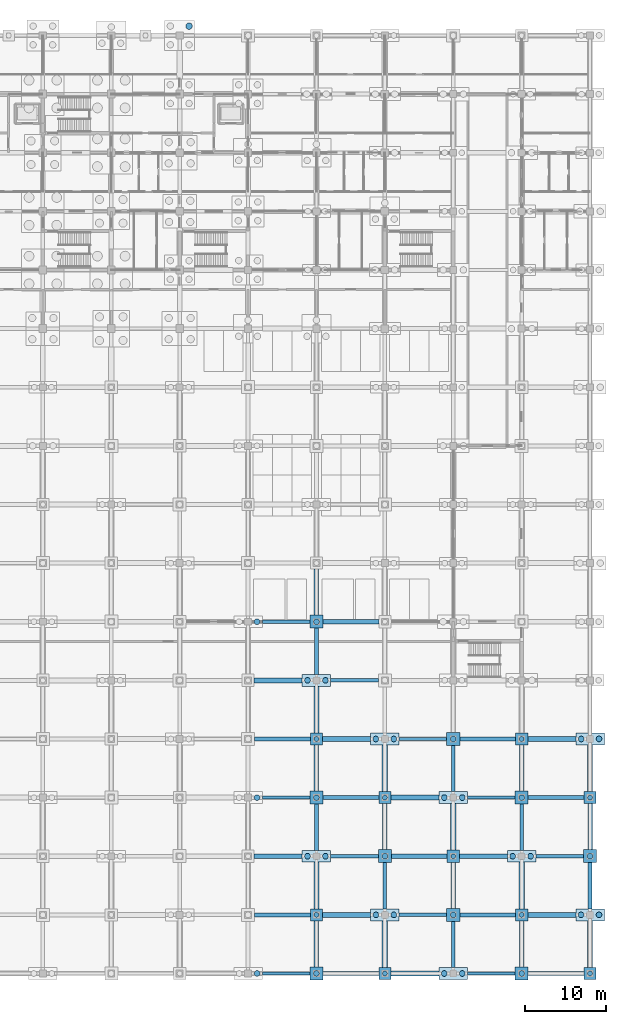
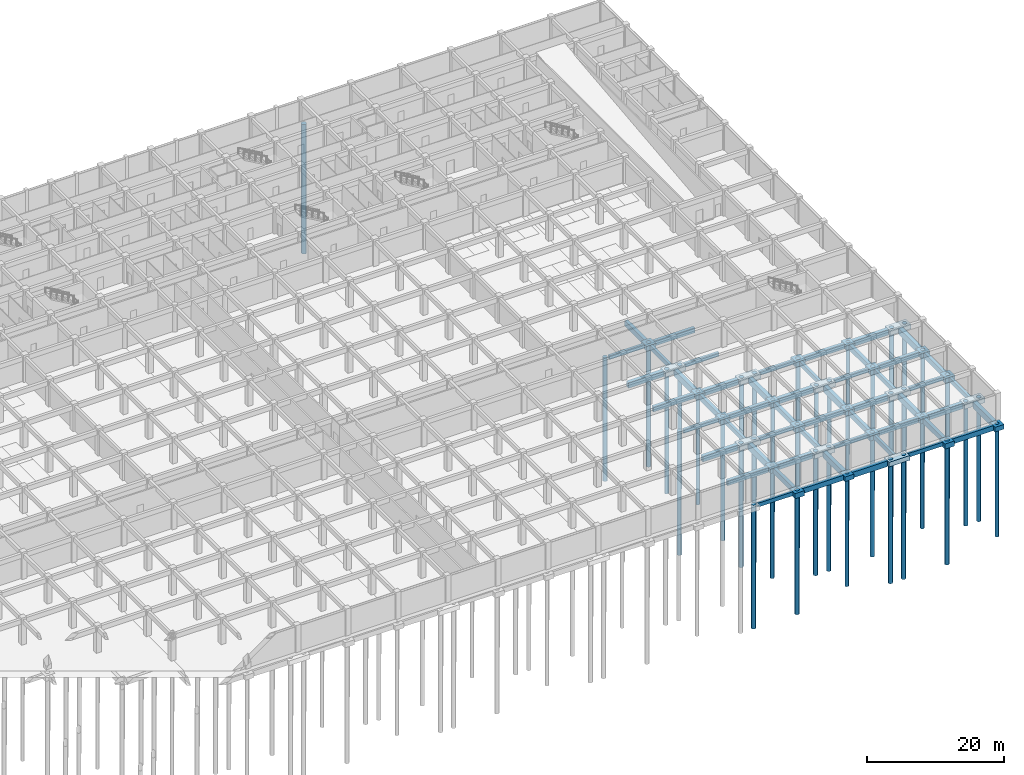
# One storey, part 13 of 85: 79 footings, 40 piles.
"""IFC4 building model written with IfcOpenShell, lengths in metres."""

from ifc_helpers import new_model, si_unit, direction, frame, origin, origin_2d, place, context, subcontext, project, spatial, rectangle, circle, extrude, material, material_profile, profile_set, type_object, element, save


model = new_model("IFC4")

# Units and contexts
model_context = context("Model", 3, precision=1e-05, world=origin(), true_north=direction((0.0, 1.0)))
body_context = subcontext(model_context, "Body", "Model", "MODEL_VIEW")
ifc_project = project(units=[si_unit("LENGTHUNIT", "METRE"), si_unit("AREAUNIT", "SQUARE_METRE"), si_unit("VOLUMEUNIT", "CUBIC_METRE"), si_unit("PLANEANGLEUNIT", "RADIAN"), si_unit("MASSUNIT", "GRAM", prefix="KILO")], contexts=[model_context])

# Site, building, storey
site_placement = place(None, origin())
site = spatial("IfcSite", under=ifc_project, at=site_placement, CompositionType="ELEMENT")
building_placement = place(site_placement, origin())
building = spatial("IfcBuilding", under=site, at=building_placement, Name="Chengyuan Square Courthouse", CompositionType="ELEMENT")
storey_placement = place(building_placement, frame((0.0, 0.0, -10.199951171875)))
storey = spatial("IfcBuildingStorey", under=building, at=storey_placement, Name="B02", CompositionType="ELEMENT", Elevation=-10.199951171875)

# Footings
ifc_material = material(Name="Concrete C40", Category="concrete")
ifc_material_profile_1 = material_profile(ifc_material, rectangle(XDim=0.39990234375, YDim=0.699951171875, at=origin_2d()), Name="GB-400x700")
ifc_profile_set_1 = profile_set([ifc_material_profile_1], Name="Concrete C40")
footing_type_1 = type_object("IfcFootingType", Name="GB-01", PredefinedType="FOOTING_BEAM", material=ifc_profile_set_1)
for number, where, z_axis, x_axis, name in (
    (1, (127.75, 0.0, -1.150146484375), (1.0, 0.0, 0.0), (0.0, 1.0, 0.0), "Ground Tie Beam GB-B02-0016"),
    (2, (152.949951171875, 0.0, -1.150146484375), (1.0, 0.0, 0.0), (0.0, 1.0, 0.0), "Ground Tie Beam GB-B02-0019"),
):
    element("IfcFooting", number, at=place(storey_placement, frame(where, z_axis=z_axis, x_axis=x_axis)), inside=storey, type_object=footing_type_1, Name=name, PredefinedType="FOOTING_BEAM", context=body_context, shape_type="SweptSolid", body=[
        extrude(rectangle(XDim=0.39990234375, YDim=0.699951171875, at=origin_2d()), origin(), (0.0, 0.0, 1.0), 5.85009765625),
    ])
footing_1_placement = place(storey_placement, frame((144.550048828125, 7.199951171875, -1.150146484375), z_axis=(1.0, 0.0, 0.0), x_axis=(0.0, 1.0, 0.0)))
element("IfcFooting", 3, at=footing_1_placement, inside=storey, type_object=footing_type_1, Name="Ground Tie Beam GB-B02-0038", PredefinedType="FOOTING_BEAM", context=body_context, shape_type="SweptSolid", body=[
    extrude(rectangle(XDim=0.39990234375, YDim=0.699951171875, at=origin_2d()), origin(), (0.0, 0.0, 1.0), 5.849853515625),
])
footing_2_placement = place(storey_placement, frame((136.14990234375, 14.39990234375, -1.150146484375), z_axis=(1.0, 0.0, 0.0), x_axis=(0.0, 1.0, 0.0)))
element("IfcFooting", 4, at=footing_2_placement, inside=storey, type_object=footing_type_1, Name="Ground Tie Beam GB-B02-0057", PredefinedType="FOOTING_BEAM", context=body_context, shape_type="SweptSolid", body=[
    extrude(rectangle(XDim=0.39990234375, YDim=0.699951171875, at=origin_2d()), origin(), (0.0, 0.0, 1.0), 5.85009765625),
])
footing_3_placement = place(storey_placement, frame((161.35009765625, 14.39990234375, -1.150146484375), z_axis=(1.0, 0.0, 0.0), x_axis=(0.0, 1.0, 0.0)))
element("IfcFooting", 5, at=footing_3_placement, inside=storey, type_object=footing_type_1, Name="Ground Tie Beam GB-B02-0060", PredefinedType="FOOTING_BEAM", context=body_context, shape_type="SweptSolid", body=[
    extrude(rectangle(XDim=0.39990234375, YDim=0.699951171875, at=origin_2d()), origin(), (0.0, 0.0, 1.0), 5.849853515625),
])
for number, where, z_axis, x_axis, name in (
    (6, (127.75, 21.60009765625, -1.150146484375), (1.0, 0.0, 0.0), (0.0, 1.0, 0.0), "Ground Tie Beam GB-B02-0076"),
    (7, (152.949951171875, 21.60009765625, -1.150146484375), (1.0, 0.0, 0.0), (0.0, 1.0, 0.0), "Ground Tie Beam GB-B02-0079"),
):
    element("IfcFooting", number, at=place(storey_placement, frame(where, z_axis=z_axis, x_axis=x_axis)), inside=storey, type_object=footing_type_1, Name=name, PredefinedType="FOOTING_BEAM", context=body_context, shape_type="SweptSolid", body=[
        extrude(rectangle(XDim=0.39990234375, YDim=0.699951171875, at=origin_2d()), origin(), (0.0, 0.0, 1.0), 5.85009765625),
    ])
footing_4_placement = place(storey_placement, frame((144.550048828125, 28.800048828125, -1.150146484375), z_axis=(1.0, 0.0, 0.0), x_axis=(0.0, 1.0, 0.0)))
element("IfcFooting", 8, at=footing_4_placement, inside=storey, type_object=footing_type_1, Name="Ground Tie Beam GB-B02-0098", PredefinedType="FOOTING_BEAM", context=body_context, shape_type="SweptSolid", body=[
    extrude(rectangle(XDim=0.39990234375, YDim=0.699951171875, at=origin_2d()), origin(), (0.0, 0.0, 1.0), 5.849853515625),
])
for number, where, z_axis, x_axis, name in (
    (9, (136.14990234375, 36.0, -1.150146484375), (1.0, 0.0, 0.0), (0.0, 1.0, 0.0), "Ground Tie Beam GB-B02-0117"),
    (10, (127.75, 43.199951171875, -1.150146484375), (1.0, 0.0, 0.0), (0.0, 1.0, 0.0), "Ground Tie Beam GB-B02-0136"),
):
    element("IfcFooting", number, at=place(storey_placement, frame(where, z_axis=z_axis, x_axis=x_axis)), inside=storey, type_object=footing_type_1, Name=name, PredefinedType="FOOTING_BEAM", context=body_context, shape_type="SweptSolid", body=[
        extrude(rectangle(XDim=0.39990234375, YDim=0.699951171875, at=origin_2d()), origin(), (0.0, 0.0, 1.0), 5.85009765625),
    ])
ifc_material_profile_2 = material_profile(ifc_material, rectangle(XDim=0.449951171875, YDim=0.800048828125, at=origin_2d()), Name="GB-450x800")
ifc_profile_set_2 = profile_set([ifc_material_profile_2], Name="Concrete C40")
footing_type_2 = type_object("IfcFootingType", Name="GB-02", PredefinedType="FOOTING_BEAM", material=ifc_profile_set_2)
footing_5_placement = place(storey_placement, frame((134.39990234375, 15.125, -1.199951171875), z_axis=(0.0, 1.0, 0.0), x_axis=(-1.0, 0.0, 0.0)))
element("IfcFooting", 11, at=footing_5_placement, inside=storey, type_object=footing_type_2, Name="Ground Tie Beam GB-B02-0605", PredefinedType="FOOTING_BEAM", context=body_context, shape_type="SweptSolid", body=[
    extrude(rectangle(XDim=0.449951171875, YDim=0.800048828125, at=origin_2d()), origin(), (0.0, 0.0, 1.0), 5.675048828125),
])
footing_6_placement = place(storey_placement, frame((134.39990234375, 36.72509765625, -1.199951171875), z_axis=(0.0, 1.0, 0.0), x_axis=(-1.0, 0.0, 0.0)))
element("IfcFooting", 12, at=footing_6_placement, inside=storey, type_object=footing_type_2, Name="Ground Tie Beam GB-B02-0608", PredefinedType="FOOTING_BEAM", context=body_context, shape_type="SweptSolid", body=[
    extrude(rectangle(XDim=0.449951171875, YDim=0.800048828125, at=origin_2d()), origin(), (0.0, 0.0, 1.0), 5.6748046875),
])
footing_7_placement = place(storey_placement, frame((142.800048828125, 7.925048828125, -1.199951171875), z_axis=(0.0, 1.0, 0.0), x_axis=(-1.0, 0.0, 0.0)))
element("IfcFooting", 13, at=footing_7_placement, inside=storey, type_object=footing_type_2, Name="Ground Tie Beam GB-B02-0620", PredefinedType="FOOTING_BEAM", context=body_context, shape_type="SweptSolid", body=[
    extrude(rectangle(XDim=0.449951171875, YDim=0.800048828125, at=origin_2d()), origin(), (0.0, 0.0, 1.0), 5.675048828125),
])
footing_8_placement = place(storey_placement, frame((151.199951171875, 0.72509765625, -1.199951171875), z_axis=(0.0, 1.0, 0.0), x_axis=(-1.0, 0.0, 0.0)))
element("IfcFooting", 14, at=footing_8_placement, inside=storey, type_object=footing_type_2, Name="Ground Tie Beam GB-B02-0635", PredefinedType="FOOTING_BEAM", context=body_context, shape_type="SweptSolid", body=[
    extrude(rectangle(XDim=0.449951171875, YDim=0.800048828125, at=origin_2d()), origin(), (0.0, 0.0, 1.0), 5.6748046875),
])
for number, where, z_axis, x_axis, name in (
    (15, (151.199951171875, 22.324951171875, -1.199951171875), (0.0, 1.0, 0.0), (-1.0, 0.0, 0.0), "Ground Tie Beam GB-B02-0638"),
    (16, (159.60009765625, 15.125, -1.199951171875), (0.0, 1.0, 0.0), (-1.0, 0.0, 0.0), "Ground Tie Beam GB-B02-0653"),
    (17, (168.0, 7.925048828125, -1.199951171875), (0.0, 1.0, 0.0), (-1.0, 0.0, 0.0), "Ground Tie Beam GB-B02-0668"),
):
    element("IfcFooting", number, at=place(storey_placement, frame(where, z_axis=z_axis, x_axis=x_axis)), inside=storey, type_object=footing_type_2, Name=name, PredefinedType="FOOTING_BEAM", context=body_context, shape_type="SweptSolid", body=[
        extrude(rectangle(XDim=0.449951171875, YDim=0.800048828125, at=origin_2d()), origin(), (0.0, 0.0, 1.0), 5.675048828125),
    ])
ifc_material_profile_3 = material_profile(ifc_material, rectangle(XDim=0.5, YDim=0.89990234375, at=origin_2d()), Name="GB-500x900")
ifc_profile_set_3 = profile_set([ifc_material_profile_3], Name="Concrete C40")
footing_type_3 = type_object("IfcFootingType", Name="GB-03", PredefinedType="FOOTING_BEAM", material=ifc_profile_set_3)
for number, where, z_axis, x_axis, name in (
    (18, (135.199951171875, 0.0, -1.25), (1.0, 0.0, 0.0), (0.0, 1.0, 0.0), "Ground Tie Beam GB-B02-0017"),
    (19, (160.39990234375, 0.0, -1.25), (1.0, 0.0, 0.0), (0.0, 1.0, 0.0), "Ground Tie Beam GB-B02-0020"),
):
    element("IfcFooting", number, at=place(storey_placement, frame(where, z_axis=z_axis, x_axis=x_axis)), inside=storey, type_object=footing_type_3, Name=name, PredefinedType="FOOTING_BEAM", context=body_context, shape_type="SweptSolid", body=[
        extrude(rectangle(XDim=0.5, YDim=0.89990234375, at=origin_2d()), origin(), (0.0, 0.0, 1.0), 6.85009765625),
    ])
footing_9_placement = place(storey_placement, frame((126.800048828125, 7.199951171875, -1.25), z_axis=(1.0, 0.0, 0.0), x_axis=(0.0, 1.0, 0.0)))
element("IfcFooting", 20, at=footing_9_placement, inside=storey, type_object=footing_type_3, Name="Ground Tie Beam GB-B02-0036", PredefinedType="FOOTING_BEAM", context=body_context, shape_type="SweptSolid", body=[
    extrude(rectangle(XDim=0.5, YDim=0.89990234375, at=origin_2d()), origin(), (0.0, 0.0, 1.0), 6.849853515625),
])
footing_10_placement = place(storey_placement, frame((152.0, 7.199951171875, -1.25), z_axis=(1.0, 0.0, 0.0), x_axis=(0.0, 1.0, 0.0)))
element("IfcFooting", 21, at=footing_10_placement, inside=storey, type_object=footing_type_3, Name="Ground Tie Beam GB-B02-0039", PredefinedType="FOOTING_BEAM", context=body_context, shape_type="SweptSolid", body=[
    extrude(rectangle(XDim=0.5, YDim=0.89990234375, at=origin_2d()), origin(), (0.0, 0.0, 1.0), 6.85009765625),
])
footing_11_placement = place(storey_placement, frame((143.60009765625, 14.39990234375, -1.25), z_axis=(1.0, 0.0, 0.0), x_axis=(0.0, 1.0, 0.0)))
element("IfcFooting", 22, at=footing_11_placement, inside=storey, type_object=footing_type_3, Name="Ground Tie Beam GB-B02-0058", PredefinedType="FOOTING_BEAM", context=body_context, shape_type="SweptSolid", body=[
    extrude(rectangle(XDim=0.5, YDim=0.89990234375, at=origin_2d()), origin(), (0.0, 0.0, 1.0), 6.849853515625),
])
for number, where, z_axis, x_axis, name in (
    (23, (135.199951171875, 21.60009765625, -1.25), (1.0, 0.0, 0.0), (0.0, 1.0, 0.0), "Ground Tie Beam GB-B02-0077"),
    (24, (160.39990234375, 21.60009765625, -1.25), (1.0, 0.0, 0.0), (0.0, 1.0, 0.0), "Ground Tie Beam GB-B02-0080"),
):
    element("IfcFooting", number, at=place(storey_placement, frame(where, z_axis=z_axis, x_axis=x_axis)), inside=storey, type_object=footing_type_3, Name=name, PredefinedType="FOOTING_BEAM", context=body_context, shape_type="SweptSolid", body=[
        extrude(rectangle(XDim=0.5, YDim=0.89990234375, at=origin_2d()), origin(), (0.0, 0.0, 1.0), 6.85009765625),
    ])
footing_12_placement = place(storey_placement, frame((126.800048828125, 28.800048828125, -1.25), z_axis=(1.0, 0.0, 0.0), x_axis=(0.0, 1.0, 0.0)))
element("IfcFooting", 25, at=footing_12_placement, inside=storey, type_object=footing_type_3, Name="Ground Tie Beam GB-B02-0096", PredefinedType="FOOTING_BEAM", context=body_context, shape_type="SweptSolid", body=[
    extrude(rectangle(XDim=0.5, YDim=0.89990234375, at=origin_2d()), origin(), (0.0, 0.0, 1.0), 6.849853515625),
])
for number, where, z_axis, x_axis, name in (
    (26, (152.0, 28.800048828125, -1.25), (1.0, 0.0, 0.0), (0.0, 1.0, 0.0), "Ground Tie Beam GB-B02-0099"),
    (27, (135.199951171875, 43.199951171875, -1.25), (1.0, 0.0, 0.0), (0.0, 1.0, 0.0), "Ground Tie Beam GB-B02-0137"),
):
    element("IfcFooting", number, at=place(storey_placement, frame(where, z_axis=z_axis, x_axis=x_axis)), inside=storey, type_object=footing_type_3, Name=name, PredefinedType="FOOTING_BEAM", context=body_context, shape_type="SweptSolid", body=[
        extrude(rectangle(XDim=0.5, YDim=0.89990234375, at=origin_2d()), origin(), (0.0, 0.0, 1.0), 6.85009765625),
    ])
ifc_material_profile_4 = material_profile(ifc_material, rectangle(XDim=0.550048828125, YDim=0.949951171875, at=origin_2d()), Name="GB-550x950")
ifc_profile_set_4 = profile_set([ifc_material_profile_4], Name="Concrete C40")
footing_type_4 = type_object("IfcFootingType", Name="GB-04", PredefinedType="FOOTING_BEAM", material=ifc_profile_set_4)
footing_13_placement = place(storey_placement, frame((134.39990234375, 0.800048828125, -1.275146484375), z_axis=(0.0, 1.0, 0.0), x_axis=(-1.0, 0.0, 0.0)))
element("IfcFooting", 28, at=footing_13_placement, inside=storey, type_object=footing_type_4, Name="Ground Tie Beam GB-B02-0603", PredefinedType="FOOTING_BEAM", context=body_context, shape_type="SweptSolid", body=[
    extrude(rectangle(XDim=0.550048828125, YDim=0.949951171875, at=origin_2d()), origin(), (0.0, 0.0, 1.0), 5.64990234375),
])
footing_14_placement = place(storey_placement, frame((134.39990234375, 22.39990234375, -1.275146484375), z_axis=(0.0, 1.0, 0.0), x_axis=(-1.0, 0.0, 0.0)))
element("IfcFooting", 29, at=footing_14_placement, inside=storey, type_object=footing_type_4, Name="Ground Tie Beam GB-B02-0606", PredefinedType="FOOTING_BEAM", context=body_context, shape_type="SweptSolid", body=[
    extrude(rectangle(XDim=0.550048828125, YDim=0.949951171875, at=origin_2d()), origin(), (0.0, 0.0, 1.0), 5.650146484375),
])
footing_15_placement = place(storey_placement, frame((134.39990234375, 44.0, -1.275146484375), z_axis=(0.0, 1.0, 0.0), x_axis=(-1.0, 0.0, 0.0)))
element("IfcFooting", 30, at=footing_15_placement, inside=storey, type_object=footing_type_4, Name="Ground Tie Beam GB-B02-0609", PredefinedType="FOOTING_BEAM", context=body_context, shape_type="SweptSolid", body=[
    extrude(rectangle(XDim=0.550048828125, YDim=0.949951171875, at=origin_2d()), origin(), (0.0, 0.0, 1.0), 5.64990234375),
])
footing_16_placement = place(storey_placement, frame((142.800048828125, 15.199951171875, -1.275146484375), z_axis=(0.0, 1.0, 0.0), x_axis=(-1.0, 0.0, 0.0)))
element("IfcFooting", 31, at=footing_16_placement, inside=storey, type_object=footing_type_4, Name="Ground Tie Beam GB-B02-0621", PredefinedType="FOOTING_BEAM", context=body_context, shape_type="SweptSolid", body=[
    extrude(rectangle(XDim=0.550048828125, YDim=0.949951171875, at=origin_2d()), origin(), (0.0, 0.0, 1.0), 5.650146484375),
])
for number, where, z_axis, x_axis, name in (
    (32, (151.199951171875, 8.0, -1.275146484375), (0.0, 1.0, 0.0), (-1.0, 0.0, 0.0), "Ground Tie Beam GB-B02-0636"),
    (33, (159.60009765625, 0.800048828125, -1.275146484375), (0.0, 1.0, 0.0), (-1.0, 0.0, 0.0), "Ground Tie Beam GB-B02-0651"),
):
    element("IfcFooting", number, at=place(storey_placement, frame(where, z_axis=z_axis, x_axis=x_axis)), inside=storey, type_object=footing_type_4, Name=name, PredefinedType="FOOTING_BEAM", context=body_context, shape_type="SweptSolid", body=[
        extrude(rectangle(XDim=0.550048828125, YDim=0.949951171875, at=origin_2d()), origin(), (0.0, 0.0, 1.0), 5.64990234375),
    ])
for number, where, z_axis, x_axis, name in (
    (34, (159.60009765625, 22.39990234375, -1.275146484375), (0.0, 1.0, 0.0), (-1.0, 0.0, 0.0), "Ground Tie Beam GB-B02-0654"),
    (35, (168.0, 15.199951171875, -1.275146484375), (0.0, 1.0, 0.0), (-1.0, 0.0, 0.0), "Ground Tie Beam GB-B02-0669"),
):
    element("IfcFooting", number, at=place(storey_placement, frame(where, z_axis=z_axis, x_axis=x_axis)), inside=storey, type_object=footing_type_4, Name=name, PredefinedType="FOOTING_BEAM", context=body_context, shape_type="SweptSolid", body=[
        extrude(rectangle(XDim=0.550048828125, YDim=0.949951171875, at=origin_2d()), origin(), (0.0, 0.0, 1.0), 5.650146484375),
    ])
ifc_material_profile_5 = material_profile(ifc_material, rectangle(XDim=0.60009765625, YDim=1.0, at=origin_2d()), Name="GB-600x1000")
ifc_profile_set_5 = profile_set([ifc_material_profile_5], Name="Concrete C40")
footing_type_5 = type_object("IfcFootingType", Name="GB-05", PredefinedType="FOOTING_BEAM", material=ifc_profile_set_5)
footing_17_placement = place(storey_placement, frame((143.550048828125, 0.0, -1.300048828125), z_axis=(1.0, 0.0, 0.0), x_axis=(0.0, 1.0, 0.0)))
element("IfcFooting", 36, at=footing_17_placement, inside=storey, type_object=footing_type_5, Name="Ground Tie Beam GB-B02-0018", PredefinedType="FOOTING_BEAM", context=body_context, shape_type="SweptSolid", body=[
    extrude(rectangle(XDim=0.60009765625, YDim=1.0, at=origin_2d()), origin(), (0.0, 0.0, 1.0), 5.89990234375),
])
footing_18_placement = place(storey_placement, frame((135.14990234375, 7.199951171875, -1.300048828125), z_axis=(1.0, 0.0, 0.0), x_axis=(0.0, 1.0, 0.0)))
element("IfcFooting", 37, at=footing_18_placement, inside=storey, type_object=footing_type_5, Name="Ground Tie Beam GB-B02-0037", PredefinedType="FOOTING_BEAM", context=body_context, shape_type="SweptSolid", body=[
    extrude(rectangle(XDim=0.60009765625, YDim=1.0, at=origin_2d()), origin(), (0.0, 0.0, 1.0), 5.900146484375),
])
for number, where, z_axis, x_axis, name in (
    (38, (160.35009765625, 7.199951171875, -1.300048828125), (1.0, 0.0, 0.0), (0.0, 1.0, 0.0), "Ground Tie Beam GB-B02-0040"),
    (39, (126.75, 14.39990234375, -1.300048828125), (1.0, 0.0, 0.0), (0.0, 1.0, 0.0), "Ground Tie Beam GB-B02-0056"),
):
    element("IfcFooting", number, at=place(storey_placement, frame(where, z_axis=z_axis, x_axis=x_axis)), inside=storey, type_object=footing_type_5, Name=name, PredefinedType="FOOTING_BEAM", context=body_context, shape_type="SweptSolid", body=[
        extrude(rectangle(XDim=0.60009765625, YDim=1.0, at=origin_2d()), origin(), (0.0, 0.0, 1.0), 5.89990234375),
    ])
footing_19_placement = place(storey_placement, frame((151.949951171875, 14.39990234375, -1.300048828125), z_axis=(1.0, 0.0, 0.0), x_axis=(0.0, 1.0, 0.0)))
element("IfcFooting", 40, at=footing_19_placement, inside=storey, type_object=footing_type_5, Name="Ground Tie Beam GB-B02-0059", PredefinedType="FOOTING_BEAM", context=body_context, shape_type="SweptSolid", body=[
    extrude(rectangle(XDim=0.60009765625, YDim=1.0, at=origin_2d()), origin(), (0.0, 0.0, 1.0), 5.900146484375),
])
footing_20_placement = place(storey_placement, frame((143.550048828125, 21.60009765625, -1.300048828125), z_axis=(1.0, 0.0, 0.0), x_axis=(0.0, 1.0, 0.0)))
element("IfcFooting", 41, at=footing_20_placement, inside=storey, type_object=footing_type_5, Name="Ground Tie Beam GB-B02-0078", PredefinedType="FOOTING_BEAM", context=body_context, shape_type="SweptSolid", body=[
    extrude(rectangle(XDim=0.60009765625, YDim=1.0, at=origin_2d()), origin(), (0.0, 0.0, 1.0), 5.89990234375),
])
footing_21_placement = place(storey_placement, frame((135.14990234375, 28.800048828125, -1.300048828125), z_axis=(1.0, 0.0, 0.0), x_axis=(0.0, 1.0, 0.0)))
element("IfcFooting", 42, at=footing_21_placement, inside=storey, type_object=footing_type_5, Name="Ground Tie Beam GB-B02-0097", PredefinedType="FOOTING_BEAM", context=body_context, shape_type="SweptSolid", body=[
    extrude(rectangle(XDim=0.60009765625, YDim=1.0, at=origin_2d()), origin(), (0.0, 0.0, 1.0), 5.900146484375),
])
for number, where, z_axis, x_axis, name in (
    (43, (160.35009765625, 28.800048828125, -1.300048828125), (1.0, 0.0, 0.0), (0.0, 1.0, 0.0), "Ground Tie Beam GB-B02-0100"),
    (44, (126.75, 36.0, -1.300048828125), (1.0, 0.0, 0.0), (0.0, 1.0, 0.0), "Ground Tie Beam GB-B02-0116"),
):
    element("IfcFooting", number, at=place(storey_placement, frame(where, z_axis=z_axis, x_axis=x_axis)), inside=storey, type_object=footing_type_5, Name=name, PredefinedType="FOOTING_BEAM", context=body_context, shape_type="SweptSolid", body=[
        extrude(rectangle(XDim=0.60009765625, YDim=1.0, at=origin_2d()), origin(), (0.0, 0.0, 1.0), 5.89990234375),
    ])
ifc_material_profile_6 = material_profile(ifc_material, rectangle(XDim=0.64990234375, YDim=1.10009765625, at=origin_2d()), Name="GB-650x1100")
ifc_profile_set_6 = profile_set([ifc_material_profile_6], Name="Concrete C40")
footing_type_6 = type_object("IfcFootingType", Name="GB-06", PredefinedType="FOOTING_BEAM", material=ifc_profile_set_6)
footing_22_placement = place(storey_placement, frame((134.39990234375, 7.949951171875, -1.35009765625), z_axis=(0.0, 1.0, 0.0), x_axis=(-1.0, 0.0, 0.0)))
element("IfcFooting", 45, at=footing_22_placement, inside=storey, type_object=footing_type_6, Name="Ground Tie Beam GB-B02-0604", PredefinedType="FOOTING_BEAM", context=body_context, shape_type="SweptSolid", body=[
    extrude(rectangle(XDim=0.64990234375, YDim=1.10009765625, at=origin_2d()), origin(), (0.0, 0.0, 1.0), 5.72509765625),
])
footing_23_placement = place(storey_placement, frame((134.39990234375, 29.550048828125, -1.35009765625), z_axis=(0.0, 1.0, 0.0), x_axis=(-1.0, 0.0, 0.0)))
element("IfcFooting", 46, at=footing_23_placement, inside=storey, type_object=footing_type_6, Name="Ground Tie Beam GB-B02-0607", PredefinedType="FOOTING_BEAM", context=body_context, shape_type="SweptSolid", body=[
    extrude(rectangle(XDim=0.64990234375, YDim=1.10009765625, at=origin_2d()), origin(), (0.0, 0.0, 1.0), 5.724853515625),
])
footing_24_placement = place(storey_placement, frame((142.800048828125, 0.75, -1.35009765625), z_axis=(0.0, 1.0, 0.0), x_axis=(-1.0, 0.0, 0.0)))
element("IfcFooting", 47, at=footing_24_placement, inside=storey, type_object=footing_type_6, Name="Ground Tie Beam GB-B02-0619", PredefinedType="FOOTING_BEAM", context=body_context, shape_type="SweptSolid", body=[
    extrude(rectangle(XDim=0.64990234375, YDim=1.10009765625, at=origin_2d()), origin(), (0.0, 0.0, 1.0), 5.72509765625),
])
footing_25_placement = place(storey_placement, frame((142.800048828125, 22.35009765625, -1.35009765625), z_axis=(0.0, 1.0, 0.0), x_axis=(-1.0, 0.0, 0.0)))
element("IfcFooting", 48, at=footing_25_placement, inside=storey, type_object=footing_type_6, Name="Ground Tie Beam GB-B02-0622", PredefinedType="FOOTING_BEAM", context=body_context, shape_type="SweptSolid", body=[
    extrude(rectangle(XDim=0.64990234375, YDim=1.10009765625, at=origin_2d()), origin(), (0.0, 0.0, 1.0), 5.724853515625),
])
for number, where, z_axis, x_axis, name in (
    (49, (151.199951171875, 15.14990234375, -1.35009765625), (0.0, 1.0, 0.0), (-1.0, 0.0, 0.0), "Ground Tie Beam GB-B02-0637"),
    (50, (159.60009765625, 7.949951171875, -1.35009765625), (0.0, 1.0, 0.0), (-1.0, 0.0, 0.0), "Ground Tie Beam GB-B02-0652"),
    (51, (168.0, 0.75, -1.35009765625), (0.0, 1.0, 0.0), (-1.0, 0.0, 0.0), "Ground Tie Beam GB-B02-0667"),
):
    element("IfcFooting", number, at=place(storey_placement, frame(where, z_axis=z_axis, x_axis=x_axis)), inside=storey, type_object=footing_type_6, Name=name, PredefinedType="FOOTING_BEAM", context=body_context, shape_type="SweptSolid", body=[
        extrude(rectangle(XDim=0.64990234375, YDim=1.10009765625, at=origin_2d()), origin(), (0.0, 0.0, 1.0), 5.72509765625),
    ])
footing_26_placement = place(storey_placement, frame((168.0, 22.35009765625, -1.35009765625), z_axis=(0.0, 1.0, 0.0), x_axis=(-1.0, 0.0, 0.0)))
element("IfcFooting", 52, at=footing_26_placement, inside=storey, type_object=footing_type_6, Name="Ground Tie Beam GB-B02-0670", PredefinedType="FOOTING_BEAM", context=body_context, shape_type="SweptSolid", body=[
    extrude(rectangle(XDim=0.64990234375, YDim=1.10009765625, at=origin_2d()), origin(), (0.0, 0.0, 1.0), 5.724853515625),
])
footing_type_7 = type_object("IfcFootingType", Name="PC-19", PredefinedType="PILE_CAP", material=ifc_material)
for number, where, z_axis, x_axis, name in (
    (53, (134.39990234375, 14.39990234375, -1.650146484375), (0.0, 0.0, 1.0), (1.0, 0.0, 0.0), "Pile Cap PC-B02-275"),
    (54, (134.39990234375, 36.0, -1.650146484375), (0.0, 0.0, 1.0), (1.0, 0.0, 0.0), "Pile Cap PC-B02-278"),
    (55, (142.800048828125, 7.199951171875, -1.650146484375), (0.0, 0.0, 1.0), (1.0, 0.0, 0.0), "Pile Cap PC-B02-291"),
    (56, (142.800048828125, 28.800048828125, -1.650146484375), (0.0, 0.0, 1.0), (1.0, 0.0, 0.0), "Pile Cap PC-B02-294"),
    (57, (151.199951171875, 0.0, -1.650146484375), (0.0, 0.0, 1.0), (1.0, 0.0, 0.0), "Pile Cap PC-B02-307"),
    (58, (151.199951171875, 21.60009765625, -1.650146484375), (0.0, 0.0, 1.0), (1.0, 0.0, 0.0), "Pile Cap PC-B02-310"),
    (59, (159.60009765625, 14.39990234375, -1.650146484375), (0.0, 0.0, 1.0), (1.0, 0.0, 0.0), "Pile Cap PC-B02-326"),
    (60, (168.0, 7.199951171875, -1.650146484375), (0.0, 0.0, 1.0), (1.0, 0.0, 0.0), "Pile Cap PC-B02-342"),
    (61, (168.0, 28.800048828125, -1.650146484375), (0.0, 0.0, 1.0), (1.0, 0.0, 0.0), "Pile Cap PC-B02-345"),
):
    element("IfcFooting", number, at=place(storey_placement, frame(where, z_axis=z_axis, x_axis=x_axis)), inside=storey, type_object=footing_type_7, Name=name, PredefinedType="PILE_CAP", context=body_context, shape_type="SweptSolid", body=[
        extrude(rectangle(XDim=3.5, YDim=1.449951171875, at=origin_2d()), origin(), (0.0, 0.0, 1.0), 0.85009765625),
    ])
footing_type_8 = type_object("IfcFootingType", Name="PC-20", PredefinedType="PILE_CAP", material=ifc_material)
for number, where, z_axis, x_axis, name in (
    (62, (134.39990234375, 0.0, -1.699951171875), (0.0, 0.0, 1.0), (1.0, 0.0, 0.0), "Pile Cap PC-B02-273"),
    (63, (134.39990234375, 21.60009765625, -1.699951171875), (0.0, 0.0, 1.0), (1.0, 0.0, 0.0), "Pile Cap PC-B02-276"),
    (64, (134.39990234375, 43.199951171875, -1.699951171875), (0.0, 0.0, 1.0), (1.0, 0.0, 0.0), "Pile Cap PC-B02-279"),
    (65, (142.800048828125, 14.39990234375, -1.699951171875), (0.0, 0.0, 1.0), (1.0, 0.0, 0.0), "Pile Cap PC-B02-292"),
    (66, (151.199951171875, 7.199951171875, -1.699951171875), (0.0, 0.0, 1.0), (1.0, 0.0, 0.0), "Pile Cap PC-B02-308"),
    (67, (151.199951171875, 28.800048828125, -1.699951171875), (0.0, 0.0, 1.0), (1.0, 0.0, 0.0), "Pile Cap PC-B02-311"),
    (68, (159.60009765625, 0.0, -1.699951171875), (0.0, 0.0, 1.0), (1.0, 0.0, 0.0), "Pile Cap PC-B02-324"),
    (69, (159.60009765625, 21.60009765625, -1.699951171875), (0.0, 0.0, 1.0), (1.0, 0.0, 0.0), "Pile Cap PC-B02-327"),
    (70, (168.0, 14.39990234375, -1.699951171875), (0.0, 0.0, 1.0), (1.0, 0.0, 0.0), "Pile Cap PC-B02-343"),
):
    element("IfcFooting", number, at=place(storey_placement, frame(where, z_axis=z_axis, x_axis=x_axis)), inside=storey, type_object=footing_type_8, Name=name, PredefinedType="PILE_CAP", context=body_context, shape_type="SweptSolid", body=[
        extrude(rectangle(XDim=1.60009765625, YDim=1.60009765625, at=origin_2d()), origin(), (0.0, 0.0, 1.0), 0.89990234375),
    ])
footing_type_9 = type_object("IfcFootingType", Name="PC-21", PredefinedType="PILE_CAP", material=ifc_material)
for number, where, z_axis, x_axis, name in (
    (71, (134.39990234375, 7.199951171875, -1.650146484375), (0.0, 0.0, 1.0), (1.0, 0.0, 0.0), "Pile Cap PC-B02-274"),
    (72, (134.39990234375, 28.800048828125, -1.650146484375), (0.0, 0.0, 1.0), (1.0, 0.0, 0.0), "Pile Cap PC-B02-277"),
    (73, (142.800048828125, 0.0, -1.650146484375), (0.0, 0.0, 1.0), (1.0, 0.0, 0.0), "Pile Cap PC-B02-290"),
    (74, (142.800048828125, 21.60009765625, -1.650146484375), (0.0, 0.0, 1.0), (1.0, 0.0, 0.0), "Pile Cap PC-B02-293"),
    (75, (151.199951171875, 14.39990234375, -1.650146484375), (0.0, 0.0, 1.0), (1.0, 0.0, 0.0), "Pile Cap PC-B02-309"),
    (76, (159.60009765625, 7.199951171875, -1.650146484375), (0.0, 0.0, 1.0), (1.0, 0.0, 0.0), "Pile Cap PC-B02-325"),
    (77, (159.60009765625, 28.800048828125, -1.650146484375), (0.0, 0.0, 1.0), (1.0, 0.0, 0.0), "Pile Cap PC-B02-328"),
    (78, (168.0, 0.0, -1.650146484375), (0.0, 0.0, 1.0), (1.0, 0.0, 0.0), "Pile Cap PC-B02-341"),
    (79, (168.0, 21.60009765625, -1.650146484375), (0.0, 0.0, 1.0), (1.0, 0.0, 0.0), "Pile Cap PC-B02-344"),
):
    element("IfcFooting", number, at=place(storey_placement, frame(where, z_axis=z_axis, x_axis=x_axis)), inside=storey, type_object=footing_type_9, Name=name, PredefinedType="PILE_CAP", context=body_context, shape_type="SweptSolid", body=[
        extrude(rectangle(XDim=1.5, YDim=1.5, at=origin_2d()), origin(), (0.0, 0.0, 1.0), 0.85009765625),
    ])

# Piles
ifc_material_profile_7 = material_profile(ifc_material, circle(Radius=0.300048828125, at=origin_2d()), Name="BORED PILE D600")
ifc_profile_set_7 = profile_set([ifc_material_profile_7], Name="Concrete C40")
pile_type_1 = type_object("IfcPileType", Name="PL-01", PredefinedType="BORED", material=ifc_profile_set_7)
for number, where, z_axis, x_axis, name in (
    (80, (134.39990234375, 7.199951171875, -0.800048828125), (0.0, 0.0, -1.0), (1.0, 0.0, 0.0), "Bored Pile PL-B02-0561"),
    (81, (134.39990234375, 28.800048828125, -0.800048828125), (0.0, 0.0, -1.0), (1.0, 0.0, 0.0), "Bored Pile PL-B02-0565"),
    (82, (142.800048828125, 0.0, -0.800048828125), (0.0, 0.0, -1.0), (1.0, 0.0, 0.0), "Bored Pile PL-B02-0587"),
    (83, (142.800048828125, 21.60009765625, -0.800048828125), (0.0, 0.0, -1.0), (1.0, 0.0, 0.0), "Bored Pile PL-B02-0591"),
    (84, (151.199951171875, 14.39990234375, -0.800048828125), (0.0, 0.0, -1.0), (1.0, 0.0, 0.0), "Bored Pile PL-B02-0618"),
    (85, (159.60009765625, 7.199951171875, -0.800048828125), (0.0, 0.0, -1.0), (1.0, 0.0, 0.0), "Bored Pile PL-B02-0646"),
    (86, (159.60009765625, 28.800048828125, -0.800048828125), (0.0, 0.0, -1.0), (1.0, 0.0, 0.0), "Bored Pile PL-B02-0650"),
    (87, (168.0, 0.0, -0.800048828125), (0.0, 0.0, -1.0), (1.0, 0.0, 0.0), "Bored Pile PL-B02-0670"),
    (88, (168.0, 21.60009765625, -0.800048828125), (0.0, 0.0, -1.0), (1.0, 0.0, 0.0), "Bored Pile PL-B02-0674"),
):
    element("IfcPile", number, at=place(storey_placement, frame(where, z_axis=z_axis, x_axis=x_axis)), inside=storey, type_object=pile_type_1, Name=name, PredefinedType="BORED", context=body_context, shape_type="SweptSolid", body=[
        extrude(circle(Radius=0.300048828125, at=origin_2d()), origin(), (0.0, 0.0, 1.0), 20.0),
    ])
ifc_material_profile_8 = material_profile(ifc_material, circle(Radius=0.35009765625, at=origin_2d()), Name="BORED PILE D700")
ifc_profile_set_8 = profile_set([ifc_material_profile_8], Name="Concrete C40")
pile_type_2 = type_object("IfcPileType", Name="PL-02", PredefinedType="BORED", material=ifc_profile_set_8)
for number, where, z_axis, x_axis, name in (
    (89, (127.10009765625, 0.0, -0.800048828125), (0.0, 0.0, -1.0), (1.0, 0.0, 0.0), "Bored Pile PL-B02-0527"),
    (90, (127.10009765625, 21.60009765625, -0.800048828125), (0.0, 0.0, -1.0), (1.0, 0.0, 0.0), "Bored Pile PL-B02-0531"),
    (91, (127.10009765625, 43.199951171875, -0.800048828125), (0.0, 0.0, -1.0), (1.0, 0.0, 0.0), "Bored Pile PL-B02-0535"),
    (92, (134.39990234375, 0.0, -0.800048828125), (0.0, 0.0, -1.0), (1.0, 0.0, 0.0), "Bored Pile PL-B02-0560"),
    (93, (133.300048828125, 14.39990234375, -0.800048828125), (0.0, 0.0, -1.0), (1.0, 0.0, 0.0), "Bored Pile PL-B02-0562"),
    (94, (135.5, 14.39990234375, -0.800048828125), (0.0, 0.0, -1.0), (1.0, 0.0, 0.0), "Bored Pile PL-B02-0563"),
    (95, (134.39990234375, 21.60009765625, -0.800048828125), (0.0, 0.0, -1.0), (1.0, 0.0, 0.0), "Bored Pile PL-B02-0564"),
    (96, (133.300048828125, 36.0, -0.800048828125), (0.0, 0.0, -1.0), (1.0, 0.0, 0.0), "Bored Pile PL-B02-0566"),
    (97, (135.5, 36.0, -0.800048828125), (0.0, 0.0, -1.0), (1.0, 0.0, 0.0), "Bored Pile PL-B02-0567"),
    (98, (134.39990234375, 43.199951171875, -0.800048828125), (0.0, 0.0, -1.0), (1.0, 0.0, 0.0), "Bored Pile PL-B02-0568"),
    (99, (141.699951171875, 7.199951171875, -0.800048828125), (0.0, 0.0, -1.0), (1.0, 0.0, 0.0), "Bored Pile PL-B02-0588"),
    (100, (143.89990234375, 7.199951171875, -0.800048828125), (0.0, 0.0, -1.0), (1.0, 0.0, 0.0), "Bored Pile PL-B02-0589"),
    (101, (142.800048828125, 14.39990234375, -0.800048828125), (0.0, 0.0, -1.0), (1.0, 0.0, 0.0), "Bored Pile PL-B02-0590"),
    (102, (141.699951171875, 28.800048828125, -0.800048828125), (0.0, 0.0, -1.0), (1.0, 0.0, 0.0), "Bored Pile PL-B02-0592"),
    (103, (143.89990234375, 28.800048828125, -0.800048828125), (0.0, 0.0, -1.0), (1.0, 0.0, 0.0), "Bored Pile PL-B02-0593"),
    (104, (150.10009765625, 0.0, -0.800048828125), (0.0, 0.0, -1.0), (1.0, 0.0, 0.0), "Bored Pile PL-B02-0615"),
    (105, (152.300048828125, 0.0, -0.800048828125), (0.0, 0.0, -1.0), (1.0, 0.0, 0.0), "Bored Pile PL-B02-0616"),
    (106, (151.199951171875, 7.199951171875, -0.800048828125), (0.0, 0.0, -1.0), (1.0, 0.0, 0.0), "Bored Pile PL-B02-0617"),
    (107, (150.10009765625, 21.60009765625, -0.800048828125), (0.0, 0.0, -1.0), (1.0, 0.0, 0.0), "Bored Pile PL-B02-0619"),
    (108, (152.300048828125, 21.60009765625, -0.800048828125), (0.0, 0.0, -1.0), (1.0, 0.0, 0.0), "Bored Pile PL-B02-0620"),
    (109, (151.199951171875, 28.800048828125, -0.800048828125), (0.0, 0.0, -1.0), (1.0, 0.0, 0.0), "Bored Pile PL-B02-0621"),
    (110, (159.60009765625, 0.0, -0.800048828125), (0.0, 0.0, -1.0), (1.0, 0.0, 0.0), "Bored Pile PL-B02-0645"),
    (111, (158.5, 14.39990234375, -0.800048828125), (0.0, 0.0, -1.0), (1.0, 0.0, 0.0), "Bored Pile PL-B02-0647"),
    (112, (160.699951171875, 14.39990234375, -0.800048828125), (0.0, 0.0, -1.0), (1.0, 0.0, 0.0), "Bored Pile PL-B02-0648"),
    (113, (159.60009765625, 21.60009765625, -0.800048828125), (0.0, 0.0, -1.0), (1.0, 0.0, 0.0), "Bored Pile PL-B02-0649"),
    (114, (166.89990234375, 7.199951171875, -0.800048828125), (0.0, 0.0, -1.0), (1.0, 0.0, 0.0), "Bored Pile PL-B02-0671"),
    (115, (169.10009765625, 7.199951171875, -0.800048828125), (0.0, 0.0, -1.0), (1.0, 0.0, 0.0), "Bored Pile PL-B02-0672"),
    (116, (168.0, 14.39990234375, -0.800048828125), (0.0, 0.0, -1.0), (1.0, 0.0, 0.0), "Bored Pile PL-B02-0673"),
    (117, (166.89990234375, 28.800048828125, -0.800048828125), (0.0, 0.0, -1.0), (1.0, 0.0, 0.0), "Bored Pile PL-B02-0675"),
    (118, (169.10009765625, 28.800048828125, -0.800048828125), (0.0, 0.0, -1.0), (1.0, 0.0, 0.0), "Bored Pile PL-B02-0676"),
):
    element("IfcPile", number, at=place(storey_placement, frame(where, z_axis=z_axis, x_axis=x_axis)), inside=storey, type_object=pile_type_2, Name=name, PredefinedType="BORED", context=body_context, shape_type="SweptSolid", body=[
        extrude(circle(Radius=0.35009765625, at=origin_2d()), origin(), (0.0, 0.0, 1.0), 22.0),
    ])
ifc_material_profile_9 = material_profile(ifc_material, circle(Radius=0.39990234375, at=origin_2d()), Name="BORED PILE D800")
ifc_profile_set_9 = profile_set([ifc_material_profile_9], Name="Concrete C40")
pile_type_3 = type_object("IfcPileType", Name="PL-03", PredefinedType="BORED", material=ifc_profile_set_9)
pile_placement = place(storey_placement, frame((118.75, 116.35009765625, -0.800048828125), z_axis=(0.0, 0.0, -1.0), x_axis=(1.0, 0.0, 0.0)))
element("IfcPile", 119, at=pile_placement, inside=storey, type_object=pile_type_3, Name="Bored Pile PL-B02-0525", PredefinedType="BORED", context=body_context, shape_type="SweptSolid", body=[
    extrude(circle(Radius=0.39990234375, at=origin_2d()), origin(), (0.0, 0.0, 1.0), 23.0),
])

save(model, "model.ifc")
